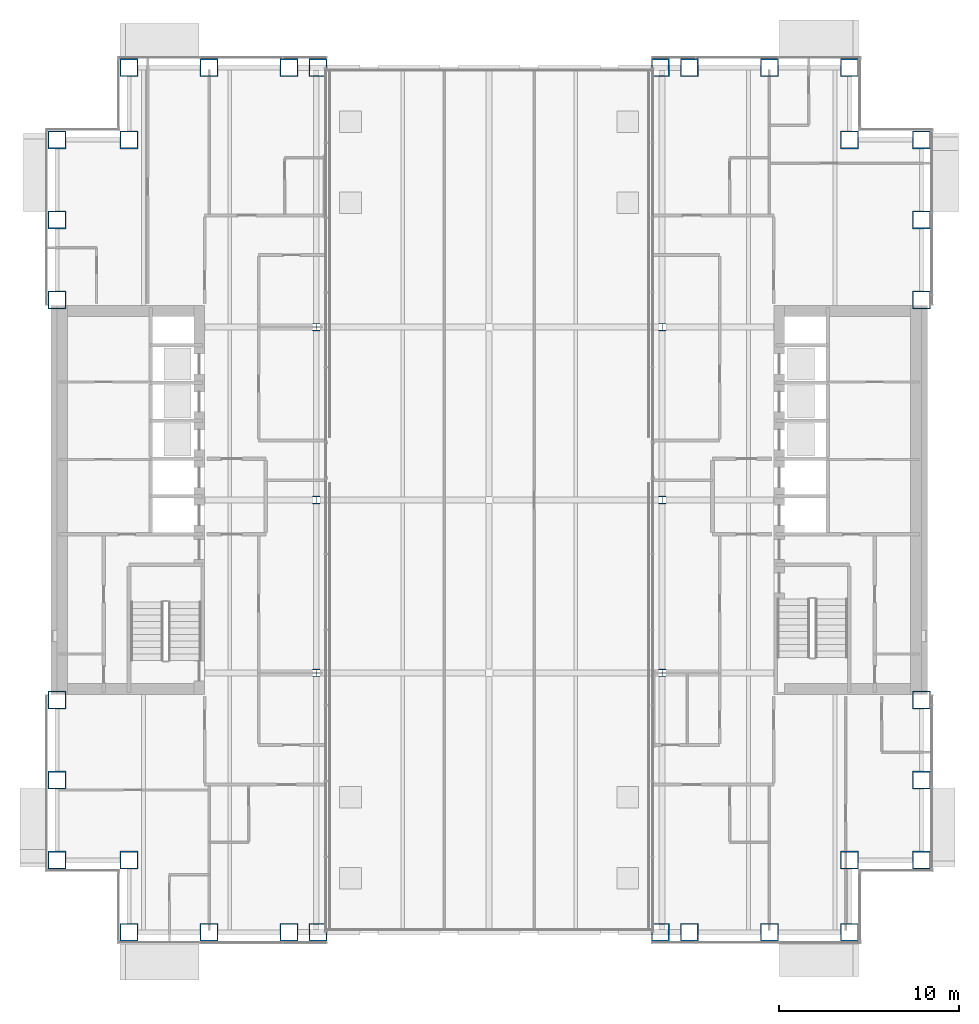
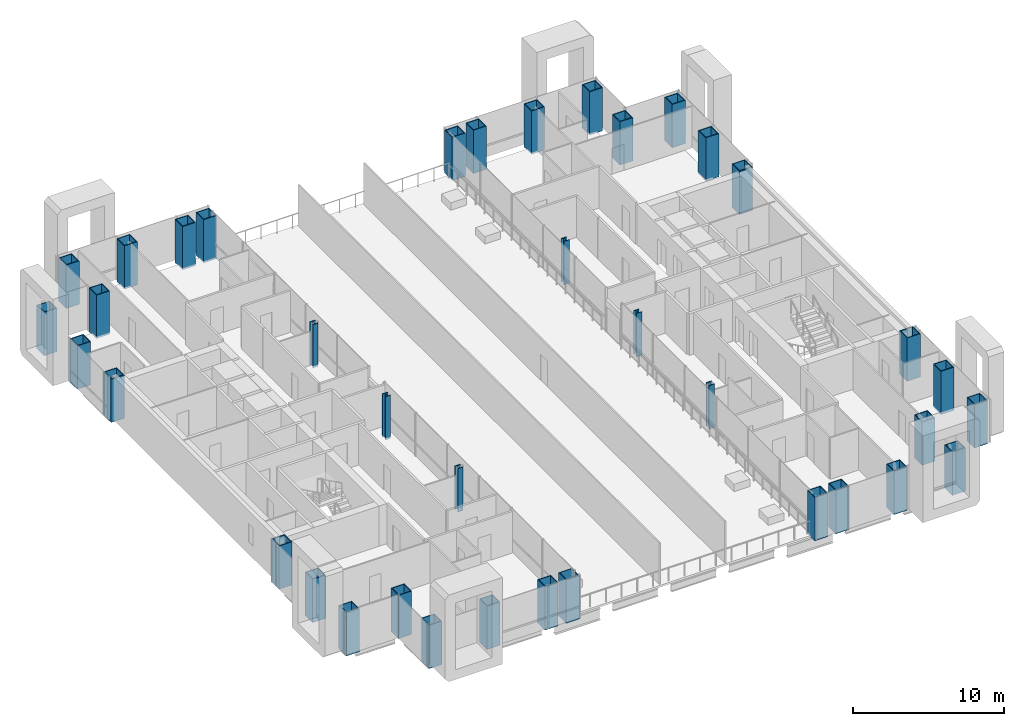
# One storey, part 1 of 24: 38 columns.
"""IFC4 building model written with IfcOpenShell, lengths in metres."""

from ifc_helpers import new_model, si_unit, direction, frame, origin, origin_2d, place, context, subcontext, project, spatial, hollow_rectangle, i_section, extrude, material, material_profile, profile_set, type_object, element, save


model = new_model("IFC4")

# Units and contexts
model_context = context("Model", 3, precision=1e-05, world=origin(), true_north=direction((0.0, 1.0)))
body_context = subcontext(model_context, "Body", "Model", "MODEL_VIEW")
ifc_project = project(units=[si_unit("LENGTHUNIT", "METRE"), si_unit("AREAUNIT", "SQUARE_METRE"), si_unit("VOLUMEUNIT", "CUBIC_METRE"), si_unit("PLANEANGLEUNIT", "RADIAN"), si_unit("MASSUNIT", "GRAM", prefix="KILO")], contexts=[model_context])

# Site, building, storey
site_placement = place(None, origin())
site = spatial("IfcSite", under=ifc_project, at=site_placement, CompositionType="ELEMENT")
building_placement = place(site_placement, origin())
building = spatial("IfcBuilding", under=site, at=building_placement, Name="Cobrizo Arcos Hotel Tower", CompositionType="ELEMENT")
storey_placement = place(building_placement, frame((0.0, 0.0, 60.0)))
storey = spatial("IfcBuildingStorey", under=building, at=storey_placement, Name="L13", CompositionType="ELEMENT", Elevation=60.0)

# Columns
ifc_material_1 = material(Name="Steel ASTM A572 Grade 50", Category="steel")
ifc_material_profile_1 = material_profile(ifc_material_1, hollow_rectangle(XDim=1.0, YDim=1.0, WallThickness=0.06005859375, at=origin_2d()), Name="BOX 1000X1000X60")
ifc_profile_set_1 = profile_set([ifc_material_profile_1], Name="Steel ASTM A572 Grade 50")
column_type_1 = type_object("IfcColumnType", Name="BOX 1000X1000X60 column", PredefinedType="COLUMN", material=ifc_profile_set_1)
for number, where, z_axis, x_axis, name in (
    (1, (-20.0, 24.0, -0.14990234375), (0.0, 0.0, 1.0), (1.0, 0.0, 0.0), "Perimeter column C4, L13, no. 00"),
    (2, (-20.0, -24.0, -0.14990234375), (0.0, 0.0, 1.0), (1.0, 0.0, 0.0), "Perimeter column C4, L13, no. 01"),
    (3, (-15.555908203125, 24.0, -0.14990234375), (0.0, 0.0, 1.0), (1.0, 0.0, 0.0), "Perimeter column C4, L13, no. 02"),
    (4, (-15.555908203125, -24.0, -0.14990234375), (0.0, 0.0, 1.0), (1.0, 0.0, 0.0), "Perimeter column C4, L13, no. 03"),
    (5, (-11.111083984375, 24.0, -0.14990234375), (0.0, 0.0, 1.0), (1.0, 0.0, 0.0), "Perimeter column C4, L13, no. 04"),
    (6, (-11.111083984375, -24.0, -0.14990234375), (0.0, 0.0, 1.0), (1.0, 0.0, 0.0), "Perimeter column C4, L13, no. 05"),
    (7, (11.111083984375, 24.0, -0.14990234375), (0.0, 0.0, 1.0), (1.0, 0.0, 0.0), "Perimeter column C4, L13, no. 06"),
    (8, (11.111083984375, -24.0, -0.14990234375), (0.0, 0.0, 1.0), (1.0, 0.0, 0.0), "Perimeter column C4, L13, no. 07"),
    (9, (15.555908203125, 24.0, -0.14990234375), (0.0, 0.0, 1.0), (1.0, 0.0, 0.0), "Perimeter column C4, L13, no. 08"),
    (10, (15.555908203125, -24.0, -0.14990234375), (0.0, 0.0, 1.0), (1.0, 0.0, 0.0), "Perimeter column C4, L13, no. 09"),
    (11, (20.0, 24.0, -0.14990234375), (0.0, 0.0, 1.0), (1.0, 0.0, 0.0), "Perimeter column C4, L13, no. 10"),
    (12, (20.0, -24.0, -0.14990234375), (0.0, 0.0, 1.0), (1.0, 0.0, 0.0), "Perimeter column C4, L13, no. 11"),
    (13, (24.0, -20.0, -0.14990234375), (0.0, 0.0, 1.0), (1.0, 0.0, 0.0), "Perimeter column C4, L13, no. 12"),
    (14, (-24.0, -20.0, -0.14990234375), (0.0, 0.0, 1.0), (1.0, 0.0, 0.0), "Perimeter column C4, L13, no. 13"),
    (15, (24.0, -15.555908203125, -0.14990234375), (0.0, 0.0, 1.0), (1.0, 0.0, 0.0), "Perimeter column C4, L13, no. 14"),
    (16, (-24.0, -15.555908203125, -0.14990234375), (0.0, 0.0, 1.0), (1.0, 0.0, 0.0), "Perimeter column C4, L13, no. 15"),
    (17, (24.0, -11.111083984375, -0.14990234375), (0.0, 0.0, 1.0), (1.0, 0.0, 0.0), "Perimeter column C4, L13, no. 16"),
    (18, (-24.0, -11.111083984375, -0.14990234375), (0.0, 0.0, 1.0), (1.0, 0.0, 0.0), "Perimeter column C4, L13, no. 17"),
    (19, (24.0, 11.111083984375, -0.14990234375), (0.0, 0.0, 1.0), (1.0, 0.0, 0.0), "Perimeter column C4, L13, no. 18"),
    (20, (-24.0, 11.111083984375, -0.14990234375), (0.0, 0.0, 1.0), (1.0, 0.0, 0.0), "Perimeter column C4, L13, no. 19"),
    (21, (24.0, 15.555908203125, -0.14990234375), (0.0, 0.0, 1.0), (1.0, 0.0, 0.0), "Perimeter column C4, L13, no. 20"),
    (22, (-24.0, 15.555908203125, -0.14990234375), (0.0, 0.0, 1.0), (1.0, 0.0, 0.0), "Perimeter column C4, L13, no. 21"),
    (23, (24.0, 20.0, -0.14990234375), (0.0, 0.0, 1.0), (1.0, 0.0, 0.0), "Perimeter column C4, L13, no. 22"),
    (24, (-24.0, 20.0, -0.14990234375), (0.0, 0.0, 1.0), (1.0, 0.0, 0.0), "Perimeter column C4, L13, no. 23"),
    (25, (-20.0, -20.0, -0.14990234375), (0.0, 0.0, 1.0), (1.0, 0.0, 0.0), "Perimeter column C4, L13, no. 24"),
    (26, (-20.0, 20.0, -0.14990234375), (0.0, 0.0, 1.0), (1.0, 0.0, 0.0), "Perimeter column C4, L13, no. 25"),
    (27, (20.0, -20.0, -0.14990234375), (0.0, 0.0, 1.0), (1.0, 0.0, 0.0), "Perimeter column C4, L13, no. 26"),
    (28, (20.0, 20.0, -0.14990234375), (0.0, 0.0, 1.0), (1.0, 0.0, 0.0), "Perimeter column C4, L13, no. 27"),
    (29, (-9.5, 24.0, -0.14990234375), (0.0, 0.0, 1.0), (1.0, 0.0, 0.0), "Perimeter column C4, L13, no. 28"),
    (30, (-9.5, -24.0, -0.14990234375), (0.0, 0.0, 1.0), (1.0, 0.0, 0.0), "Perimeter column C4, L13, no. 29"),
    (31, (9.5, 24.0, -0.14990234375), (0.0, 0.0, 1.0), (1.0, 0.0, 0.0), "Perimeter column C4, L13, no. 30"),
    (32, (9.5, -24.0, -0.14990234375), (0.0, 0.0, 1.0), (1.0, 0.0, 0.0), "Perimeter column C4, L13, no. 31"),
):
    element("IfcColumn", number, at=place(storey_placement, frame(where, z_axis=z_axis, x_axis=x_axis)), inside=storey, type_object=column_type_1, Name=name, PredefinedType="COLUMN", context=body_context, shape_type="SweptSolid", body=[
        extrude(hollow_rectangle(XDim=1.0, YDim=1.0, WallThickness=0.06005859375, at=origin_2d()), origin(), (0.0, 0.0, 1.0), 3.5),
    ])
ifc_material_2 = material(Name="Steel ASTM A992 Grade 50", Category="steel")
ifc_material_profile_2 = material_profile(ifc_material_2, i_section(OverallWidth=0.408935546875, OverallDepth=0.42431640625, WebThickness=0.03271484375, FlangeThickness=0.052490234375, at=origin_2d()), Name="W14X283")
ifc_profile_set_2 = profile_set([ifc_material_profile_2], Name="Steel ASTM A992 Grade 50")
column_type_2 = type_object("IfcColumnType", Name="W14X283 interior column", PredefinedType="COLUMN", material=ifc_profile_set_2)
for number, where, z_axis, x_axis, name in (
    (33, (-9.60009765625, -9.60009765625, -0.14990234375), (0.0, 0.0, 1.0), (1.0, 0.0, 0.0), "Interior column C5, L13, no. 00"),
    (34, (-9.60009765625, 0.0, -0.14990234375), (0.0, 0.0, 1.0), (1.0, 0.0, 0.0), "Interior column C5, L13, no. 01"),
    (35, (-9.60009765625, 9.60009765625, -0.14990234375), (0.0, 0.0, 1.0), (1.0, 0.0, 0.0), "Interior column C5, L13, no. 02"),
    (36, (9.60009765625, -9.60009765625, -0.14990234375), (0.0, 0.0, 1.0), (1.0, 0.0, 0.0), "Interior column C5, L13, no. 03"),
    (37, (9.60009765625, 0.0, -0.14990234375), (0.0, 0.0, 1.0), (1.0, 0.0, 0.0), "Interior column C5, L13, no. 04"),
    (38, (9.60009765625, 9.60009765625, -0.14990234375), (0.0, 0.0, 1.0), (1.0, 0.0, 0.0), "Interior column C5, L13, no. 05"),
):
    element("IfcColumn", number, at=place(storey_placement, frame(where, z_axis=z_axis, x_axis=x_axis)), inside=storey, type_object=column_type_2, Name=name, PredefinedType="COLUMN", context=body_context, shape_type="SweptSolid", body=[
        extrude(i_section(OverallWidth=0.408935546875, OverallDepth=0.42431640625, WebThickness=0.03271484375, FlangeThickness=0.052490234375, at=origin_2d()), origin(), (0.0, 0.0, 1.0), 3.5),
    ])

save(model, "model.ifc")
